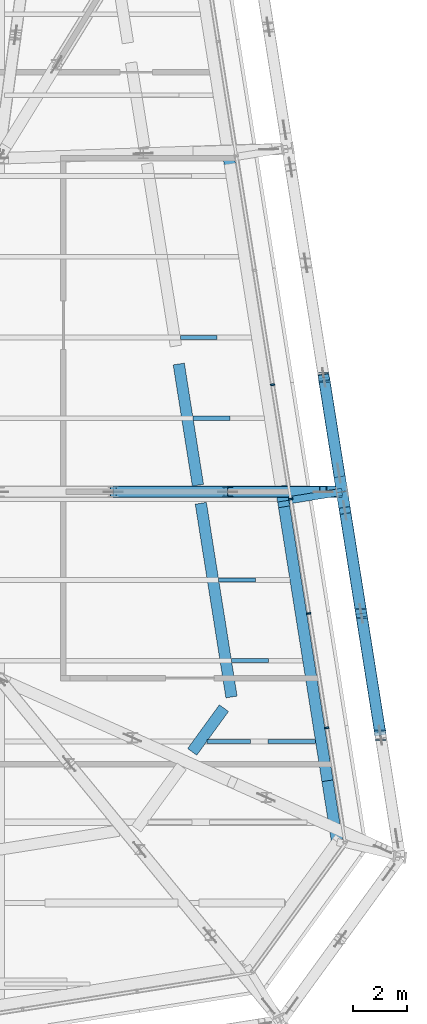
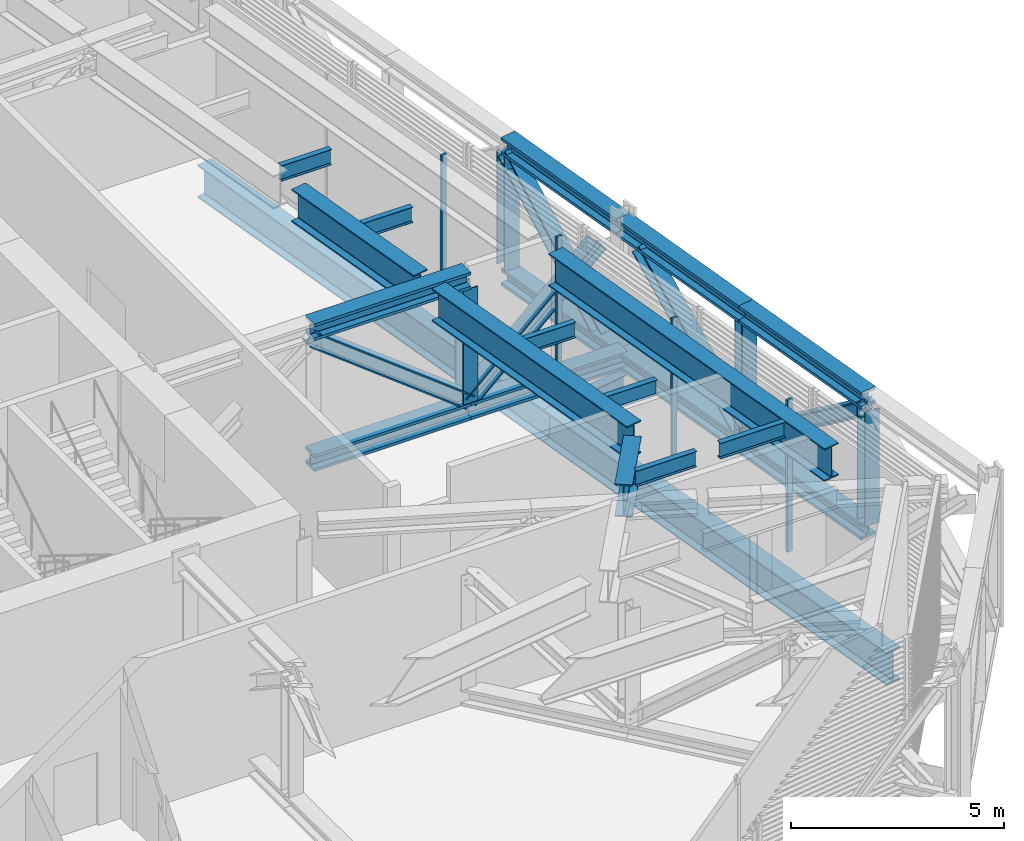
# One storey, part 10 of 31: 22 beams, 13 members, 1 element without a shape of its own.
"""IFC4 building model written with IfcOpenShell, lengths in metres."""

from ifc_helpers import new_model, si_unit, direction, frame, origin, origin_2d, place, context, subcontext, project, spatial, rectangle, i_section, extrude, material, layer, layer_set, material_profile, profile_set, type_object, element, aggregate, save


model = new_model("IFC4")

# Units and contexts
model_context = context("Model", 3, precision=1e-05, world=origin(), true_north=direction((0.0, 1.0)))
body_context = subcontext(model_context, "Body", "Model", "MODEL_VIEW")
ifc_project = project(units=[si_unit("LENGTHUNIT", "METRE"), si_unit("AREAUNIT", "SQUARE_METRE"), si_unit("VOLUMEUNIT", "CUBIC_METRE"), si_unit("PLANEANGLEUNIT", "RADIAN"), si_unit("MASSUNIT", "GRAM", prefix="KILO")], contexts=[model_context])

# Site, building, storey
site_placement = place(None, origin())
site = spatial("IfcSite", under=ifc_project, at=site_placement, CompositionType="ELEMENT")
building_placement = place(site_placement, origin())
building = spatial("IfcBuilding", under=site, at=building_placement, Name="Millrace Tower", CompositionType="ELEMENT")
storey_placement = place(building_placement, frame((0.0, 0.0, 195.60009765625)))
storey = spatial("IfcBuildingStorey", under=building, at=storey_placement, Name="L44", CompositionType="ELEMENT", Elevation=195.60009765625)

# Beams
ifc_material_1 = material(Name="Steel ASTM A992 Grade 50", Category="steel")
ifc_material_profile_1 = material_profile(ifc_material_1, i_section(OverallWidth=0.4267578125, OverallDepth=0.482666015625, WebThickness=0.05126953125, FlangeThickness=0.08154296875, FilletRadius=0.01513671875, at=origin_2d()))
ifc_profile_set_1 = profile_set([ifc_material_profile_1], Name="Steel ASTM A992 Grade 50")
beam_type_1 = type_object("IfcBeamType", Name="Belt truss chord W14x455", PredefinedType="BEAM", material=ifc_profile_set_1)
for number, where, z_axis, x_axis, name in (
    (1, (28.826904296875, -11.77099609375, 0.2412109375), (-0.156477602811, 0.987681507278, 0.0), (-0.987681507278, -0.156477602811, 0.0), "BLT-L44-R06-B02"),
    (2, (28.826904296875, -11.77099609375, 3.99853515625), (-0.156477602811, 0.987681507278, 0.0), (-0.987681507278, -0.156477602811, 0.0), "BLT-L44-R06-T02"),
    (3, (28.11083984375, -7.251220703125, 0.2412109375), (-0.156425557764, 0.987689751328, 0.0), (-0.987689751328, -0.156425557764, 0.0), "BLT-L44-R06-B03"),
):
    element("IfcBeam", number, at=place(storey_placement, frame(where, z_axis=z_axis, x_axis=x_axis)), inside=storey, type_object=beam_type_1, Name=name, PredefinedType="BEAM", context=body_context, shape_type="SweptSolid", body=[
        extrude(i_section(OverallWidth=0.4267578125, OverallDepth=0.482666015625, WebThickness=0.05126953125, FlangeThickness=0.08154296875, FilletRadius=0.01513671875, at=origin_2d()), origin(), (0.0, 0.0, 1.0), 4.576171875),
    ])
beam_1_placement = place(storey_placement, frame((27.39501953125, -2.7314453125, 0.2412109375), z_axis=(-0.15642030113, 0.987690583834, 0.0), x_axis=(-0.987690583834, -0.15642030113, 0.0)))
element("IfcBeam", 4, at=beam_1_placement, inside=storey, type_object=beam_type_1, Name="BLT-L44-R07-B01", PredefinedType="BEAM", context=body_context, shape_type="SweptSolid", body=[
    extrude(i_section(OverallWidth=0.4267578125, OverallDepth=0.482666015625, WebThickness=0.05126953125, FlangeThickness=0.08154296875, FilletRadius=0.01513671875, at=origin_2d()), origin(), (0.0, 0.0, 1.0), 4.300048828125),
])
beam_2_placement = place(storey_placement, frame((28.11083984375, -7.251220703125, 3.99853515625), z_axis=(-0.156399131838, 0.987693936177, 0.0), x_axis=(-0.987693936177, -0.156399131838, 0.0)))
element("IfcBeam", 5, at=beam_2_placement, inside=storey, type_object=beam_type_1, Name="BLT-L44-R06-T03", PredefinedType="BEAM", context=body_context, shape_type="SweptSolid", body=[
    extrude(i_section(OverallWidth=0.4267578125, OverallDepth=0.482666015625, WebThickness=0.05126953125, FlangeThickness=0.08154296875, FilletRadius=0.01513671875, at=origin_2d()), origin(), (0.0, 0.0, 1.0), 4.56591796875),
])
beam_3_placement = place(storey_placement, frame((27.3935546875, -2.7216796875, 3.99853515625), z_axis=(-0.15643888701, 0.987687640214, 0.0), x_axis=(-0.987687640214, -0.15643888701, 0.0)))
element("IfcBeam", 6, at=beam_3_placement, inside=storey, type_object=beam_type_1, Name="BLT-L44-R07-T01", PredefinedType="BEAM", context=body_context, shape_type="SweptSolid", body=[
    extrude(i_section(OverallWidth=0.4267578125, OverallDepth=0.482666015625, WebThickness=0.05126953125, FlangeThickness=0.08154296875, FilletRadius=0.01513671875, at=origin_2d()), origin(), (0.0, 0.0, 1.0), 4.2900390625),
])

# Members
ifc_material_2 = material(Name="Steel ASTM A992 Grade 50", Category="steel")
ifc_material_profile_2 = material_profile(ifc_material_2, i_section(OverallWidth=0.398681640625, OverallDepth=0.393798828125, WebThickness=0.022705078125, FlangeThickness=0.03662109375, FilletRadius=0.01513671875, at=origin_2d()))
ifc_profile_set_2 = profile_set([ifc_material_profile_2], Name="Steel ASTM A992 Grade 50")
member_type_1 = type_object("IfcMemberType", Name="Belt truss diagonal W14x193", PredefinedType="BRACE", material=ifc_profile_set_2)
member_1_placement = place(storey_placement, frame((28.11083984375, -7.251220703125, 0.482421875), z_axis=(0.127249124596, -0.803192309459, 0.581970595748), x_axis=(0.987681507278, 0.156477602811, 0.0)))
element("IfcMember", 7, at=member_1_placement, inside=storey, type_object=member_type_1, Name="BLT-L44-R06-D02", PredefinedType="BRACE", context=body_context, shape_type="SweptSolid", body=[
    extrude(i_section(OverallWidth=0.398681640625, OverallDepth=0.393798828125, WebThickness=0.022705078125, FlangeThickness=0.03662109375, FilletRadius=0.01513671875, at=origin_2d()), origin(), (0.0, 0.0, 1.0), 5.627197265625),
])
member_2_placement = place(storey_placement, frame((28.11083984375, -7.251220703125, 0.482421875), z_axis=(-0.119464161147, 0.754457314112, 0.645385524616), x_axis=(-0.987694436043, -0.156395975046, 0.0)))
element("IfcMember", 8, at=member_2_placement, inside=storey, type_object=member_type_1, Name="BLT-L44-R06-D03", PredefinedType="BRACE", context=body_context, shape_type="SweptSolid", body=[
    extrude(i_section(OverallWidth=0.398681640625, OverallDepth=0.393798828125, WebThickness=0.022705078125, FlangeThickness=0.03662109375, FilletRadius=0.01513671875, at=origin_2d()), origin(), (0.0, 0.0, 1.0), 5.07421875),
])
member_3_placement = place(storey_placement, frame((27.28564453125, -2.0400390625, 0.482421875), z_axis=(-0.115731422385, 0.730607904471, 0.672917771943), x_axis=(-0.987685312069, -0.156453585206, 0.0)))
element("IfcMember", 9, at=member_3_placement, inside=storey, type_object=member_type_1, Name="BLT-L44-R07-D01", PredefinedType="BRACE", context=body_context, shape_type="SweptSolid", body=[
    extrude(i_section(OverallWidth=0.398681640625, OverallDepth=0.393798828125, WebThickness=0.022705078125, FlangeThickness=0.03662109375, FilletRadius=0.01513671875, at=origin_2d()), origin(), (0.0, 0.0, 1.0), 4.86669921875),
])
ifc_material_3 = material(Name="Steel ASTM A992 Grade 50", Category="steel")
ifc_material_profile_3 = material_profile(ifc_material_3, i_section(OverallWidth=0.396240234375, OverallDepth=0.381103515625, WebThickness=0.018798828125, FlangeThickness=0.0302734375, FilletRadius=0.01513671875, at=origin_2d()))
ifc_profile_set_3 = profile_set([ifc_material_profile_3], Name="Steel ASTM A992 Grade 50")
member_type_2 = type_object("IfcMemberType", Name="Belt truss post W14x159", PredefinedType="POST", material=ifc_profile_set_3)
for number, where, z_axis, x_axis, name in (
    (10, (28.826904296875, -11.77099609375, 0.482421875), (0.0, 0.0, 1.0), (1.0, 0.0, 0.0), "BLT-L44-R06-V01"),
    (11, (28.11083984375, -7.251220703125, 0.482421875), (0.0, 0.0, 1.0), (1.0, 0.0, 0.0), "BLT-L44-R06-V02"),
    (12, (26.722412109375, 1.515625, 0.482421875), (0.0, 0.0, 1.0), (1.0, 0.0, 0.0), "BLT-L44-R07-V01"),
):
    element("IfcMember", number, at=place(storey_placement, frame(where, z_axis=z_axis, x_axis=x_axis)), inside=storey, type_object=member_type_2, Name=name, PredefinedType="POST", context=body_context, shape_type="SweptSolid", body=[
        extrude(i_section(OverallWidth=0.396240234375, OverallDepth=0.381103515625, WebThickness=0.018798828125, FlangeThickness=0.0302734375, FilletRadius=0.01513671875, at=origin_2d()), origin(), (0.0, 0.0, 1.0), 3.27490234375),
    ])

# Curtain wall, members
ifc_material_4 = material(Name="Aluminium and glass", Category="aluminium")
ifc_layer = layer(ifc_material_4, 0.14990234375)
ifc_layer_set = layer_set([ifc_layer], Name="Aluminium and glass")
curtain_wall_type = type_object("IfcCurtainWallType", Name="CW-5 truss and plant storey louvred infill", PredefinedType="NOTDEFINED", material=ifc_layer_set)
curtain_wall_placement = place(storey_placement, origin())
curtain_wall = element("IfcCurtainWall", 13, at=curtain_wall_placement, inside=storey, type_object=curtain_wall_type, Name="Curtain wall C-F04 L44", PredefinedType="NOTDEFINED")
ifc_material_5 = material(Name="Aluminium", Category="aluminium")
ifc_material_profile_4 = material_profile(ifc_material_5, rectangle(XDim=0.06494140625, YDim=0.14990234375, at=origin_2d()))
ifc_profile_set_4 = profile_set([ifc_material_profile_4], Name="Aluminium")
member_type_3 = type_object("IfcMemberType", Name="CW-5 truss and plant storey louvred infill mullion", PredefinedType="MULLION", material=ifc_profile_set_4)
member_4_placement = place(storey_placement, frame((26.833984375, -11.49462890625, 0.139892578125), z_axis=(0.0, 0.0, 1.0), x_axis=(-0.15643447328, 0.98768833929, 0.0)))
member_4 = element("IfcMember", 14, at=member_4_placement, type_object=member_type_3, Name="CW5 mullion C-F04.2", PredefinedType="MULLION", context=body_context, shape_type="SweptSolid", body=[
    extrude(rectangle(XDim=0.06494140625, YDim=0.14990234375, at=origin_2d()), origin(), (0.0, 0.0, 1.0), 4.360107421875),
])
member_5_placement = place(storey_placement, frame((26.161376953125, -7.24755859375, 0.139892578125), z_axis=(0.0, 0.0, 1.0), x_axis=(-0.15643447328, 0.98768833929, 0.0)))
member_5 = element("IfcMember", 15, at=member_5_placement, type_object=member_type_3, Name="CW5 mullion C-F04.3", PredefinedType="MULLION", context=body_context, shape_type="SweptSolid", body=[
    extrude(rectangle(XDim=0.06494140625, YDim=0.14990234375, at=origin_2d()), origin(), (0.0, 0.0, 1.0), 4.360107421875),
])
member_6_placement = place(storey_placement, frame((25.48876953125, -3.00048828125, 0.139892578125), z_axis=(0.0, 0.0, 1.0), x_axis=(-0.15643447328, 0.98768833929, 0.0)))
member_6 = element("IfcMember", 16, at=member_6_placement, type_object=member_type_3, Name="CW5 mullion C-F04.4", PredefinedType="MULLION", context=body_context, shape_type="SweptSolid", body=[
    extrude(rectangle(XDim=0.06494140625, YDim=0.14990234375, at=origin_2d()), origin(), (0.0, 0.0, 1.0), 4.360107421875),
])
member_7_placement = place(storey_placement, frame((24.81591796875, 1.24658203125, 0.139892578125), z_axis=(0.0, 0.0, 1.0), x_axis=(-0.15643447328, 0.98768833929, 0.0)))
member_7 = element("IfcMember", 17, at=member_7_placement, type_object=member_type_3, Name="CW5 mullion C-F04.5", PredefinedType="MULLION", context=body_context, shape_type="SweptSolid", body=[
    extrude(rectangle(XDim=0.06494140625, YDim=0.14990234375, at=origin_2d()), origin(), (0.0, 0.0, 1.0), 4.360107421875),
])
aggregate(curtain_wall, [member_4, member_5, member_6, member_7])

# Beams
ifc_material_6 = material(Name="Steel ASTM A992 Grade 50", Category="steel")
ifc_material_profile_5 = material_profile(ifc_material_6, i_section(OverallWidth=0.15234375, OverallDepth=0.449462890625, WebThickness=0.007568359375, FlangeThickness=0.0107421875, FilletRadius=0.01025390625, at=origin_2d()))
ifc_profile_set_5 = profile_set([ifc_material_profile_5], Name="Steel ASTM A992 Grade 50")
beam_type_2 = type_object("IfcBeamType", Name="Floor beam W18x35", PredefinedType="JOIST", material=ifc_profile_set_5)
beam_4_placement = place(storey_placement, frame((22.37353515625, -12.0, 4.115234375), z_axis=(1.0, 0.0, 0.0), x_axis=(0.0, 1.0, 0.0)))
element("IfcBeam", 18, at=beam_4_placement, inside=storey, type_object=beam_type_2, Name="BM-C-L44-R1-S006-a", PredefinedType="JOIST", context=body_context, shape_type="SweptSolid", body=[
    extrude(i_section(OverallWidth=0.15234375, OverallDepth=0.449462890625, WebThickness=0.007568359375, FlangeThickness=0.0107421875, FilletRadius=0.01025390625, at=origin_2d()), origin(), (0.0, 0.0, 1.0), 1.630615234375),
])
beam_5_placement = place(storey_placement, frame((24.644775390625, -12.0, 4.115234375), z_axis=(1.0, 0.0, 0.0), x_axis=(0.0, 1.0, 0.0)))
element("IfcBeam", 19, at=beam_5_placement, inside=storey, type_object=beam_type_2, Name="BM-C-L44-R1-S006-b", PredefinedType="JOIST", context=body_context, shape_type="SweptSolid", body=[
    extrude(i_section(OverallWidth=0.15234375, OverallDepth=0.449462890625, WebThickness=0.007568359375, FlangeThickness=0.0107421875, FilletRadius=0.01025390625, at=origin_2d()), origin(), (0.0, 0.0, 1.0), 1.766357421875),
])
beam_6_placement = place(storey_placement, frame((23.291259765625, -9.0, 4.115234375), z_axis=(1.0, 0.0, 0.0), x_axis=(0.0, 1.0, 0.0)))
element("IfcBeam", 20, at=beam_6_placement, inside=storey, type_object=beam_type_2, Name="BM-C-L44-R1-S007", PredefinedType="JOIST", context=body_context, shape_type="SweptSolid", body=[
    extrude(i_section(OverallWidth=0.15234375, OverallDepth=0.449462890625, WebThickness=0.007568359375, FlangeThickness=0.0107421875, FilletRadius=0.01025390625, at=origin_2d()), origin(), (0.0, 0.0, 1.0), 1.370361328125),
])
for number, where, z_axis, x_axis, name in (
    (21, (22.816162109375, -6.0, 4.115234375), (1.0, 0.0, 0.0), (0.0, 1.0, 0.0), "BM-C-L44-R1-S008"),
    (22, (21.865966796875, 0.0, 4.115234375), (1.0, 0.0, 0.0), (0.0, 1.0, 0.0), "BM-C-L44-R1-S010"),
    (23, (21.390869140625, 3.0, 4.115234375), (1.0, 0.0, 0.0), (0.0, 1.0, 0.0), "BM-C-L44-R1-S011"),
):
    element("IfcBeam", number, at=place(storey_placement, frame(where, z_axis=z_axis, x_axis=x_axis)), inside=storey, type_object=beam_type_2, Name=name, PredefinedType="JOIST", context=body_context, shape_type="SweptSolid", body=[
        extrude(i_section(OverallWidth=0.15234375, OverallDepth=0.449462890625, WebThickness=0.007568359375, FlangeThickness=0.0107421875, FilletRadius=0.01025390625, at=origin_2d()), origin(), (0.0, 0.0, 1.0), 1.3701171875),
    ])
ifc_material_7 = material(Name="Steel ASTM A992 Grade 50", Category="steel")
ifc_material_profile_6 = material_profile(ifc_material_7, i_section(OverallWidth=0.2666015625, OverallDepth=0.7568359375, WebThickness=0.013916015625, FlangeThickness=0.019287109375, FilletRadius=0.0166015625, at=origin_2d()))
ifc_profile_set_6 = profile_set([ifc_material_profile_6], Name="Steel ASTM A992 Grade 50")
beam_type_3 = type_object("IfcBeamType", Name="Link beam W30x108", PredefinedType="BEAM", material=ifc_profile_set_6)
beam_7_placement = place(storey_placement, frame((25.419677734375, -3.04443359375, -0.628662109375), z_axis=(0.987678691416, 0.156495375404, 0.0), x_axis=(-0.156495375404, 0.987678691416, 0.0)))
element("IfcBeam", 24, at=beam_7_placement, inside=storey, type_object=beam_type_3, Name="LNK-C-L44-S1-11", PredefinedType="BEAM", context=body_context, shape_type="SweptSolid", body=[
    extrude(i_section(OverallWidth=0.2666015625, OverallDepth=0.7568359375, WebThickness=0.013916015625, FlangeThickness=0.019287109375, FilletRadius=0.0166015625, at=origin_2d()), origin(), (0.0, 0.0, 1.0), 2.0),
])
ifc_material_8 = material(Name="Steel ASTM A992 Grade 50", Category="steel")
ifc_material_profile_7 = material_profile(ifc_material_8, i_section(OverallWidth=0.4267578125, OverallDepth=0.482666015625, WebThickness=0.05126953125, FlangeThickness=0.08154296875, FilletRadius=0.01513671875, at=origin_2d()))
ifc_profile_set_7 = profile_set([ifc_material_profile_7], Name="Steel ASTM A992 Grade 50")
beam_type_4 = type_object("IfcBeamType", Name="Outrigger truss chord W14x455", PredefinedType="BEAM", material=ifc_profile_set_7)
for number, where, z_axis, x_axis, name in (
    (25, (18.8984375, -2.7314453125, 0.2412109375), (1.0, 0.0, 0.0), (0.0, 1.0, 0.0), "BLT-L44-O07-B02"),
    (26, (18.8984375, -2.7314453125, 3.99853515625), (1.0, 0.0, 0.0), (0.0, 1.0, 0.0), "BLT-L44-O07-T02"),
    (27, (23.146728515625, -2.7314453125, 0.2412109375), (1.0, 0.0, 0.0), (0.0, 1.0, 0.0), "BLT-L44-O07-B03"),
):
    element("IfcBeam", number, at=place(storey_placement, frame(where, z_axis=z_axis, x_axis=x_axis)), inside=storey, type_object=beam_type_4, Name=name, PredefinedType="BEAM", context=body_context, shape_type="SweptSolid", body=[
        extrude(i_section(OverallWidth=0.4267578125, OverallDepth=0.482666015625, WebThickness=0.05126953125, FlangeThickness=0.08154296875, FilletRadius=0.01513671875, at=origin_2d()), origin(), (0.0, 0.0, 1.0), 4.248291015625),
    ])

# Members
ifc_material_9 = material(Name="Steel ASTM A992 Grade 50", Category="steel")
ifc_material_profile_8 = material_profile(ifc_material_9, i_section(OverallWidth=0.398681640625, OverallDepth=0.393798828125, WebThickness=0.022705078125, FlangeThickness=0.03662109375, FilletRadius=0.01513671875, at=origin_2d()))
ifc_profile_set_8 = profile_set([ifc_material_profile_8], Name="Steel ASTM A992 Grade 50")
member_type_4 = type_object("IfcMemberType", Name="Outrigger truss diagonal W14x193", PredefinedType="BRACE", material=ifc_profile_set_8)
member_8_placement = place(storey_placement, frame((23.146728515625, -2.7314453125, 0.482421875), z_axis=(-0.791994149822, 0.0, 0.61052867799), x_axis=(0.0, -1.0, 0.0)))
element("IfcMember", 28, at=member_8_placement, inside=storey, type_object=member_type_4, Name="BLT-L44-O07-D02", PredefinedType="BRACE", context=body_context, shape_type="SweptSolid", body=[
    extrude(i_section(OverallWidth=0.398681640625, OverallDepth=0.393798828125, WebThickness=0.022705078125, FlangeThickness=0.03662109375, FilletRadius=0.01513671875, at=origin_2d()), origin(), (0.0, 0.0, 1.0), 5.364013671875),
])
member_9_placement = place(storey_placement, frame((23.146728515625, -2.7314453125, 0.482421875), z_axis=(0.734853842081, 0.0, 0.678225501422), x_axis=(0.0, 1.0, 0.0)))
element("IfcMember", 29, at=member_9_placement, inside=storey, type_object=member_type_4, Name="BLT-L44-O07-D03", PredefinedType="BRACE", context=body_context, shape_type="SweptSolid", body=[
    extrude(i_section(OverallWidth=0.398681640625, OverallDepth=0.393798828125, WebThickness=0.022705078125, FlangeThickness=0.03662109375, FilletRadius=0.01513671875, at=origin_2d()), origin(), (0.0, 0.0, 1.0), 4.82861328125),
])
ifc_material_10 = material(Name="Steel ASTM A992 Grade 50", Category="steel")
ifc_material_profile_9 = material_profile(ifc_material_10, i_section(OverallWidth=0.396240234375, OverallDepth=0.381103515625, WebThickness=0.018798828125, FlangeThickness=0.0302734375, FilletRadius=0.01513671875, at=origin_2d()))
ifc_profile_set_9 = profile_set([ifc_material_profile_9], Name="Steel ASTM A992 Grade 50")
member_type_5 = type_object("IfcMemberType", Name="Outrigger truss post W14x159", PredefinedType="POST", material=ifc_profile_set_9)
member_10_placement = place(storey_placement, frame((23.146728515625, -2.7314453125, 0.482421875), z_axis=(0.0, 0.0, 1.0), x_axis=(1.0, 0.0, 0.0)))
element("IfcMember", 30, at=member_10_placement, inside=storey, type_object=member_type_5, Name="BLT-L44-O07-V02", PredefinedType="POST", context=body_context, shape_type="SweptSolid", body=[
    extrude(i_section(OverallWidth=0.396240234375, OverallDepth=0.381103515625, WebThickness=0.018798828125, FlangeThickness=0.0302734375, FilletRadius=0.01513671875, at=origin_2d()), origin(), (0.0, 0.0, 1.0), 3.27490234375),
])

# Beams
ifc_material_11 = material(Name="Steel ASTM A992 Grade 50", Category="steel")
ifc_material_profile_10 = material_profile(ifc_material_11, i_section(OverallWidth=0.421630859375, OverallDepth=0.937255859375, WebThickness=0.021240234375, FlangeThickness=0.03662109375, FilletRadius=0.024169921875, at=origin_2d()))
ifc_profile_set_10 = profile_set([ifc_material_profile_10], Name="Steel ASTM A992 Grade 50")
beam_type_5 = type_object("IfcBeamType", Name="Ring beam medium span W36x262", PredefinedType="SPANDREL", material=ifc_profile_set_10)
beam_8_placement = place(storey_placement, frame((23.193359375, 9.663818359375, -0.71875), z_axis=(0.156438763615, -0.987687659758, 0.0), x_axis=(0.987687659758, 0.156438763615, 0.0)))
element("IfcBeam", 31, at=beam_8_placement, inside=storey, type_object=beam_type_5, Name="RNG-C-L44-S1-10", PredefinedType="SPANDREL", context=body_context, shape_type="SweptSolid", body=[
    extrude(i_section(OverallWidth=0.421630859375, OverallDepth=0.937255859375, WebThickness=0.021240234375, FlangeThickness=0.03662109375, FilletRadius=0.024169921875, at=origin_2d()), origin(), (0.0, 0.0, 1.0), 12.900146484375),
])
beam_9_placement = place(storey_placement, frame((25.21142578125, -3.077392578125, -0.71875), z_axis=(0.156440058697, -0.987687454631, 0.0), x_axis=(0.987687454631, 0.156440058697, 0.0)))
element("IfcBeam", 32, at=beam_9_placement, inside=storey, type_object=beam_type_5, Name="RNG-C-L44-S1-11", PredefinedType="SPANDREL", context=body_context, shape_type="SweptSolid", body=[
    extrude(i_section(OverallWidth=0.421630859375, OverallDepth=0.937255859375, WebThickness=0.021240234375, FlangeThickness=0.03662109375, FilletRadius=0.024169921875, at=origin_2d()), origin(), (0.0, 0.0, 1.0), 12.8125),
])
ifc_material_12 = material(Name="Steel ASTM A992 Grade 50", Category="steel")
ifc_material_profile_11 = material_profile(ifc_material_12, i_section(OverallWidth=0.421630859375, OverallDepth=0.937255859375, WebThickness=0.021240234375, FlangeThickness=0.03662109375, FilletRadius=0.024169921875, at=origin_2d()))
ifc_profile_set_11 = profile_set([ifc_material_profile_11], Name="Steel ASTM A992 Grade 50")
beam_type_6 = type_object("IfcBeamType", Name="Ring beam short span W36x262", PredefinedType="SPANDREL", material=ifc_profile_set_11)
beam_10_placement = place(storey_placement, frame((21.831298828125, -12.3876953125, 3.871337890625), z_axis=(0.58777407127, 0.809025117745, 0.0), x_axis=(-0.809025117745, 0.58777407127, 0.0)))
element("IfcBeam", 33, at=beam_10_placement, inside=storey, type_object=beam_type_6, Name="RNG-C-L44-R1-12-b", PredefinedType="SPANDREL", context=body_context, shape_type="SweptSolid", body=[
    extrude(i_section(OverallWidth=0.421630859375, OverallDepth=0.937255859375, WebThickness=0.021240234375, FlangeThickness=0.03662109375, FilletRadius=0.024169921875, at=origin_2d()), origin(), (0.0, 0.0, 1.0), 2.00830078125),
])
beam_11_placement = place(storey_placement, frame((23.291748046875, -10.349853515625, 3.871337890625), z_axis=(-0.156430727533, 0.987688932551, 0.0), x_axis=(-0.987688932551, -0.156430727533, 0.0)))
element("IfcBeam", 34, at=beam_11_placement, inside=storey, type_object=beam_type_6, Name="RNG-C-L44-R1-13-a", PredefinedType="SPANDREL", context=body_context, shape_type="SweptSolid", body=[
    extrude(i_section(OverallWidth=0.421630859375, OverallDepth=0.937255859375, WebThickness=0.021240234375, FlangeThickness=0.03662109375, FilletRadius=0.024169921875, at=origin_2d()), origin(), (0.0, 0.0, 1.0), 7.28369140625),
])
beam_12_placement = place(storey_placement, frame((22.046142578125, -2.485107421875, 3.871337890625), z_axis=(-0.156444021413, 0.987686826967, 0.0), x_axis=(-0.987686826967, -0.156444021413, 0.0)))
element("IfcBeam", 35, at=beam_12_placement, inside=storey, type_object=beam_type_6, Name="RNG-C-L44-R1-13-b-a-a", PredefinedType="SPANDREL", context=body_context, shape_type="SweptSolid", body=[
    extrude(i_section(OverallWidth=0.421630859375, OverallDepth=0.937255859375, WebThickness=0.021240234375, FlangeThickness=0.03662109375, FilletRadius=0.024169921875, at=origin_2d()), origin(), (0.0, 0.0, 1.0), 4.556884765625),
])
beam_13_placement = place(storey_placement, frame((25.24462890625, -3.286865234375, 3.871337890625), z_axis=(0.156433586108, -0.987688479804, 0.0), x_axis=(0.987688479804, 0.156433586108, 0.0)))
element("IfcBeam", 36, at=beam_13_placement, inside=storey, type_object=beam_type_6, Name="RNG-C-L44-R1-03", PredefinedType="SPANDREL", context=body_context, shape_type="SweptSolid", body=[
    extrude(i_section(OverallWidth=0.421630859375, OverallDepth=0.937255859375, WebThickness=0.021240234375, FlangeThickness=0.03662109375, FilletRadius=0.024169921875, at=origin_2d()), origin(), (0.0, 0.0, 1.0), 10.30029296875),
])

save(model, "model.ifc")
